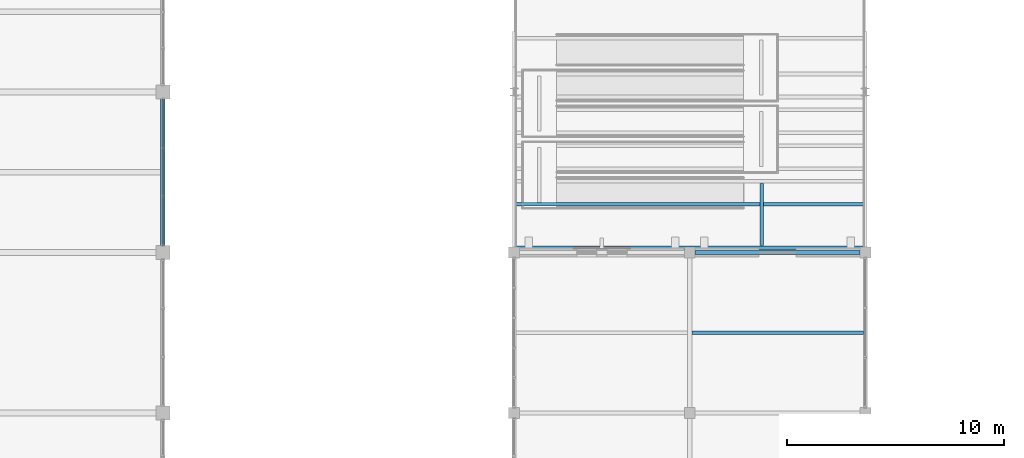
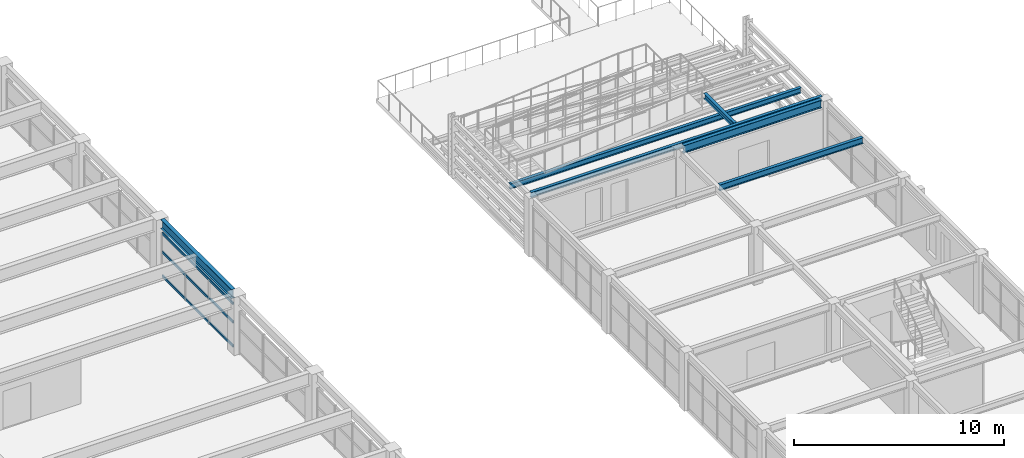
# One storey, part 55 of 93: 6 beams, 3 members, 1 element without a shape of its own.
"""IFC4 building model written with IfcOpenShell, lengths in metres."""

from ifc_helpers import new_model, si_unit, direction, frame, origin, origin_2d, place, context, subcontext, project, spatial, hollow_rectangle, i_section, extrude, material, material_profile, profile_set, type_object, element, aggregate, save


model = new_model("IFC4")

# Units and contexts
model_context = context("Model", 3, precision=1e-05, world=origin(), true_north=direction((0.0, 1.0)))
body_context = subcontext(model_context, "Body", "Model", "MODEL_VIEW")
ifc_project = project(units=[si_unit("LENGTHUNIT", "METRE"), si_unit("AREAUNIT", "SQUARE_METRE"), si_unit("VOLUMEUNIT", "CUBIC_METRE"), si_unit("PLANEANGLEUNIT", "RADIAN"), si_unit("MASSUNIT", "GRAM", prefix="KILO")], contexts=[model_context])

# Site, building, storey
site_placement = place(None, origin())
site = spatial("IfcSite", under=ifc_project, at=site_placement, CompositionType="ELEMENT")
building_placement = place(site_placement, origin())
building = spatial("IfcBuilding", under=site, at=building_placement, Name="Cimatlan Art Gallery", CompositionType="ELEMENT")
storey_placement = place(building_placement, frame((0.0, 0.0, 13.800048828125)))
storey = spatial("IfcBuildingStorey", under=building, at=storey_placement, Name="L03", CompositionType="ELEMENT", Elevation=13.800048828125)

# Beams
ifc_material_1 = material(Name="Steel ASTM A992 Grade 50", Category="steel")
ifc_material_profile_1 = material_profile(ifc_material_1, i_section(OverallWidth=0.1650390625, OverallDepth=0.31005859375, WebThickness=0.005859375, FlangeThickness=0.009765625, at=origin_2d()), Name="W12X26")
ifc_profile_set_1 = profile_set([ifc_material_profile_1], Name="Steel ASTM A992 Grade 50")
beam_type_1 = type_object("IfcBeamType", Name="BM-STL-W12X26", PredefinedType="JOIST", material=ifc_profile_set_1)
for number, where, z_axis, x_axis, name in (
    (1, (115.489990234375, 70.52001953125, 2.52490234375), (1.0, 0.0, 0.0), (0.0, 1.0, 0.0), "BM-RMP-TER-U4-L4-EW1"),
    (2, (115.489990234375, 68.52001953125, 3.244873046875), (1.0, 0.0, 0.0), (0.0, 1.0, 0.0), "BM-RMP-TER-U4-L5-EW1"),
):
    element("IfcBeam", number, at=place(storey_placement, frame(where, z_axis=z_axis, x_axis=x_axis)), inside=storey, type_object=beam_type_1, Name=name, PredefinedType="JOIST", context=body_context, shape_type="SweptSolid", body=[
        extrude(i_section(OverallWidth=0.1650390625, OverallDepth=0.31005859375, WebThickness=0.005859375, FlangeThickness=0.009765625, at=origin_2d()), origin(), (0.0, 0.0, 1.0), 16.02001953125),
    ])
beam_1_placement = place(storey_placement, frame((126.81494140625, 68.610107421875, 3.244873046875), z_axis=(0.0, 1.0, 0.0), x_axis=(-1.0, 0.0, 0.0)))
element("IfcBeam", 3, at=beam_1_placement, inside=storey, type_object=beam_type_1, Name="BM-RMP-TER-U4-L5-X1", PredefinedType="JOIST", context=body_context, shape_type="SweptSolid", body=[
    extrude(i_section(OverallWidth=0.1650390625, OverallDepth=0.31005859375, WebThickness=0.005859375, FlangeThickness=0.009765625, at=origin_2d()), origin(), (0.0, 0.0, 1.0), 2.8798828125),
])
ifc_material_profile_2 = material_profile(ifc_material_1, i_section(OverallWidth=0.1708984375, OverallDepth=0.35107421875, WebThickness=0.0068359375, FlangeThickness=0.009765625, at=origin_2d()), Name="W14X30")
ifc_profile_set_2 = profile_set([ifc_material_profile_2], Name="Steel ASTM A992 Grade 50")
beam_type_2 = type_object("IfcBeamType", Name="BM-STL-W14X30", PredefinedType="JOIST", material=ifc_profile_set_2)
beam_2_placement = place(storey_placement, frame((123.595458984375, 64.60009765625, 3.204345703125), z_axis=(1.0, 0.0, 0.0), x_axis=(0.0, 1.0, 0.0)))
element("IfcBeam", 4, at=beam_2_placement, inside=storey, type_object=beam_type_2, Name="JST-L03-15-08", PredefinedType="JOIST", context=body_context, shape_type="SweptSolid", body=[
    extrude(i_section(OverallWidth=0.1708984375, OverallDepth=0.35107421875, WebThickness=0.0068359375, FlangeThickness=0.009765625, at=origin_2d()), origin(), (0.0, 0.0, 1.0), 7.908935546875),
])
ifc_material_profile_3 = material_profile(ifc_material_1, i_section(OverallWidth=0.19091796875, OverallDepth=0.45703125, WebThickness=0.009033203125, FlangeThickness=0.014404296875, at=origin_2d()), Name="W18X50")
ifc_profile_set_3 = profile_set([ifc_material_profile_3], Name="Steel ASTM A992 Grade 50")
beam_type_3 = type_object("IfcBeamType", Name="BM-STL-W18X50", PredefinedType="BEAM", material=ifc_profile_set_3)
beam_3_placement = place(storey_placement, frame((123.75, 68.300048828125, 3.1513671875), z_axis=(1.0, 0.0, 0.0), x_axis=(0.0, 1.0, 0.0)))
element("IfcBeam", 5, at=beam_3_placement, inside=storey, type_object=beam_type_3, Name="BM-X-L03-15-09", PredefinedType="BEAM", context=body_context, shape_type="SweptSolid", body=[
    extrude(i_section(OverallWidth=0.19091796875, OverallDepth=0.45703125, WebThickness=0.009033203125, FlangeThickness=0.014404296875, at=origin_2d()), origin(), (0.0, 0.0, 1.0), 7.60009765625),
])
ifc_material_profile_4 = material_profile(ifc_material_1, i_section(OverallWidth=0.2099609375, OverallDepth=0.532958984375, WebThickness=0.01025390625, FlangeThickness=0.015625, at=origin_2d()), Name="W21X62")
ifc_profile_set_4 = profile_set([ifc_material_profile_4], Name="Steel ASTM A992 Grade 50")
beam_type_4 = type_object("IfcBeamType", Name="BM-STL-W21X62", PredefinedType="BEAM", material=ifc_profile_set_4)
beam_4_placement = place(storey_placement, frame((99.199951171875, 68.625, 3.113525390625), z_axis=(0.0, 1.0, 0.0), x_axis=(-1.0, 0.0, 0.0)))
element("IfcBeam", 6, at=beam_4_placement, inside=storey, type_object=beam_type_4, Name="BM-Y-L03-12-09", PredefinedType="BEAM", context=body_context, shape_type="SweptSolid", body=[
    extrude(i_section(OverallWidth=0.2099609375, OverallDepth=0.532958984375, WebThickness=0.01025390625, FlangeThickness=0.015625, at=origin_2d()), origin(), (0.0, 0.0, 1.0), 6.75),
])

# Curtain wall, members
ifc_material_2 = material(Name="Anodised bronze unitised curtain wall")
curtain_wall_type = type_object("IfcCurtainWallType", Name="CW-V-06742X02603-B3", PredefinedType="NOTDEFINED", material=ifc_material_2)
curtain_wall_placement = place(storey_placement, origin())
curtain_wall = element("IfcCurtainWall", 7, at=curtain_wall_placement, inside=storey, type_object=curtain_wall_type, Name="CW-L03-11-09-E", PredefinedType="NOTDEFINED")
ifc_material_3 = material(Name="Anodised bronze aluminium 6063-T6", Category="aluminium")
ifc_material_profile_5 = material_profile(ifc_material_3, hollow_rectangle(XDim=0.06494140625, YDim=0.139892578125, WallThickness=0.00390625, at=origin_2d()), Name="ALU65X140X4")
ifc_profile_set_5 = profile_set([ifc_material_profile_5], Name="Anodised bronze aluminium 6063-T6")
member_type = type_object("IfcMemberType", Name="CW-TRN-140", PredefinedType="USERDEFINED", material=ifc_profile_set_5)
member_1_placement = place(storey_placement, frame((99.199951171875, 75.37109375, 0.06005859375), z_axis=(0.0, -1.0, 0.0), x_axis=(1.0, 0.0, 0.0)))
member_1 = element("IfcMember", 8, at=member_1_placement, type_object=member_type, Name="CW-L03-11-09-E-T1", ObjectType="TRANSOM", PredefinedType="USERDEFINED", context=body_context, shape_type="SweptSolid", body=[
    extrude(hollow_rectangle(XDim=0.06494140625, YDim=0.139892578125, WallThickness=0.00390625, at=origin_2d()), origin(), (0.0, 0.0, 1.0), 6.7421875),
])
member_2_placement = place(storey_placement, frame((99.199951171875, 75.37109375, 1.457763671875), z_axis=(0.0, -1.0, 0.0), x_axis=(1.0, 0.0, 0.0)))
member_2 = element("IfcMember", 9, at=member_2_placement, type_object=member_type, Name="CW-L03-11-09-E-T2", ObjectType="TRANSOM", PredefinedType="USERDEFINED", context=body_context, shape_type="SweptSolid", body=[
    extrude(hollow_rectangle(XDim=0.06494140625, YDim=0.139892578125, WallThickness=0.00390625, at=origin_2d()), origin(), (0.0, 0.0, 1.0), 6.7421875),
])
member_3_placement = place(storey_placement, frame((99.199951171875, 75.37109375, 2.54296875), z_axis=(0.0, -1.0, 0.0), x_axis=(1.0, 0.0, 0.0)))
member_3 = element("IfcMember", 10, at=member_3_placement, type_object=member_type, Name="CW-L03-11-09-E-T3", ObjectType="TRANSOM", PredefinedType="USERDEFINED", context=body_context, shape_type="SweptSolid", body=[
    extrude(hollow_rectangle(XDim=0.06494140625, YDim=0.139892578125, WallThickness=0.00390625, at=origin_2d()), origin(), (0.0, 0.0, 1.0), 6.7421875),
])
aggregate(curtain_wall, [member_1, member_2, member_3])

save(model, "model.ifc")
